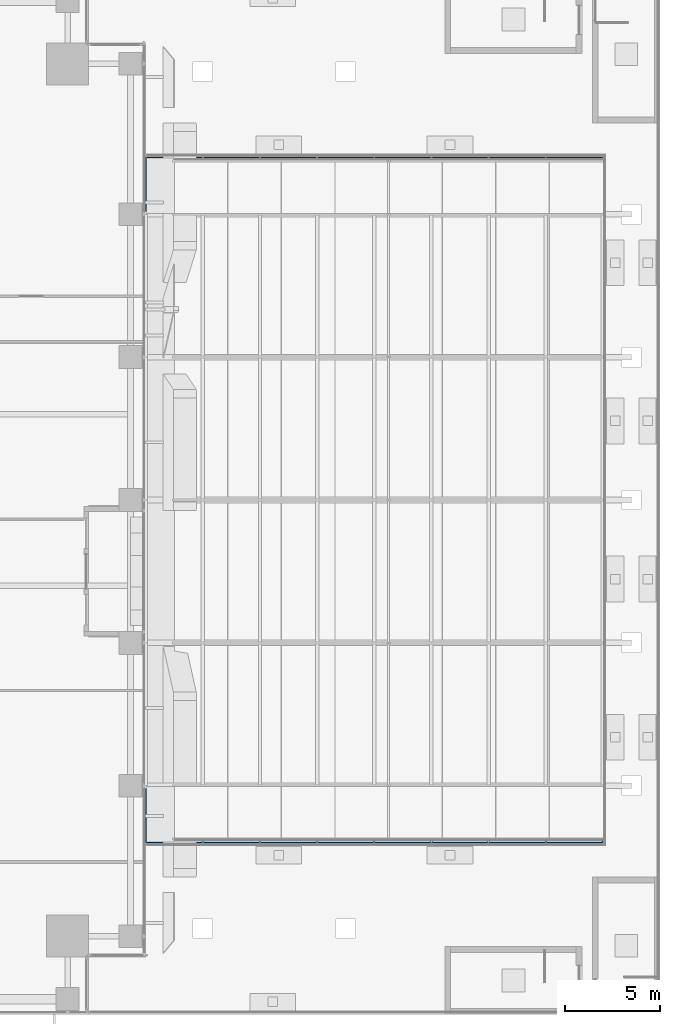
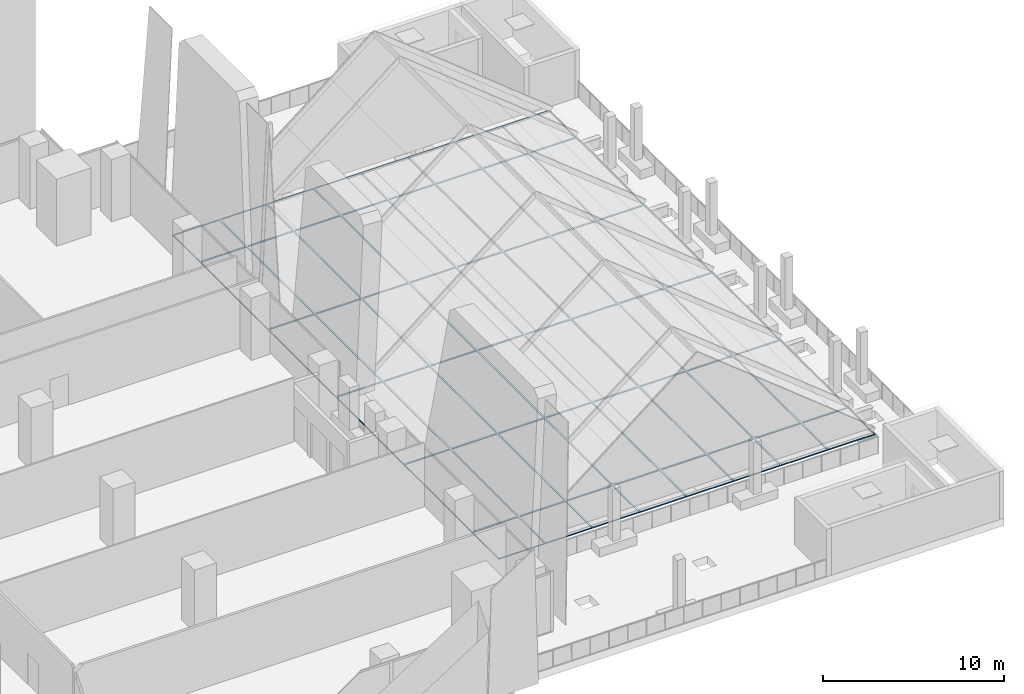
# One storey, part 33 of 46: 1 slab, 48 openings.
"""IFC4 building model written with IfcOpenShell, lengths in metres."""

import ifcopenshell
import ifcopenshell.guid

model = None  # the IFC model being written
_history = None  # IfcOwnerHistory: only IFC2X3 demands one
_inside = {}  # id of a spatial element -> (the spatial element, [elements in it])
_under = {}  # id of a project, library or spatial element -> (it, [spatial elements below it])
_declared = {}  # id of a project -> (the project, [libraries it declares])
_typed = {}  # id of a type object -> (the type object, [elements of that type])
_made_of = {}  # id of a material, layer set ... -> (it, [elements and type objects made of it])


def new_model(schema):
    """Start an empty IFC model of exactly this schema.

    Asked for "IFC4X3", IfcOpenShell would pick the latest addendum, in which some entities
    have other attributes; the version numbers below select the first issue.
    IFC2X3 requires an IfcOwnerHistory on every rooted entity: one is made here for all.
    """
    global model, _history
    if schema == "IFC4X3":
        model = ifcopenshell.file(schema_version=(4, 3, 0, 0))
    else:
        model = ifcopenshell.file(schema=schema)
    _inside.clear()
    _under.clear()
    _declared.clear()
    _typed.clear()
    _made_of.clear()
    _history = None
    if model.schema == "IFC2X3":
        org = make("IfcOrganization", Name="unknown")
        user = make(
            "IfcPersonAndOrganization",
            ThePerson=make("IfcPerson", FamilyName="unknown"),
            TheOrganization=org,
        )
        app = make(
            "IfcApplication",
            ApplicationDeveloper=org,
            Version="unknown",
            ApplicationFullName="unknown",
            ApplicationIdentifier="unknown",
        )
        _history = make(
            "IfcOwnerHistory",
            OwningUser=user,
            OwningApplication=app,
            ChangeAction="ADDED",
            CreationDate=0,
        )
    return model


def make(cls, **values):
    """One entity of the class cls with the attributes given. An attribute that is None is left unset."""
    return model.create_entity(
        cls, **{name: value for name, value in values.items() if value is not None}
    )


def rooted(cls, **values):
    """An entity with a GlobalId (a new one), such as an element, a storey or a relation."""
    return make(cls, GlobalId=ifcopenshell.guid.new(), OwnerHistory=_history, **values)


def si_unit(unit_type, name, prefix=None):
    """IfcSIUnit, for example si_unit("LENGTHUNIT", "METRE", prefix="MILLI")."""
    return make("IfcSIUnit", UnitType=unit_type, Prefix=prefix, Name=name)


def assignment(units):
    """IfcUnitAssignment: the units of a project."""
    return None if units is None else make("IfcUnitAssignment", Units=units)


def point(xyz):
    """IfcCartesianPoint."""
    return None if xyz is None else make("IfcCartesianPoint", Coordinates=xyz)


def direction(xyz):
    """IfcDirection."""
    return None if xyz is None else make("IfcDirection", DirectionRatios=xyz)


def frame(location, z_axis=None, x_axis=None):
    """IfcAxis2Placement3D, a coordinate frame: its origin and axes. An axis left out is left unset."""
    return make(
        "IfcAxis2Placement3D",
        Location=point(location),
        Axis=direction(z_axis),
        RefDirection=direction(x_axis),
    )


def frame_2d(location, x_axis=None):
    """IfcAxis2Placement2D, a coordinate frame in the plane: its origin and x axis."""
    return make(
        "IfcAxis2Placement2D", Location=point(location), RefDirection=direction(x_axis)
    )


def origin():
    """The frame at (0, 0, 0) with its axes left unset."""
    return frame((0.0, 0.0, 0.0))


def origin_2d():
    """The frame at (0, 0) in the plane with its x axis left unset."""
    return frame_2d((0.0, 0.0))


def place(relative_to, where):
    """IfcLocalPlacement: puts the frame where relative to a parent placement (None: the world)."""
    return make(
        "IfcLocalPlacement", PlacementRelTo=relative_to, RelativePlacement=where
    )


def context(
    kind, dimensions, precision=None, world=None, true_north=None, identifier=None
):
    """IfcGeometricRepresentationContext, for example the 3D "Model" context."""
    return make(
        "IfcGeometricRepresentationContext",
        ContextIdentifier=identifier,
        ContextType=kind,
        CoordinateSpaceDimension=dimensions,
        Precision=precision,
        WorldCoordinateSystem=world,
        TrueNorth=true_north,
    )


def subcontext(parent, identifier, kind, view, scale=None):
    """IfcGeometricRepresentationSubContext, for example "Body" below "Model"."""
    return make(
        "IfcGeometricRepresentationSubContext",
        ContextIdentifier=identifier,
        ContextType=kind,
        ParentContext=parent,
        TargetScale=scale,
        TargetView=view,
    )


def project(units=None, contexts=None):
    """IfcProject with its units and contexts."""
    return rooted(
        "IfcProject",
        Name="project",
        RepresentationContexts=contexts,
        UnitsInContext=assignment(units),
    )


def spatial(cls, under=None, at=None, **own):
    """A site, building, storey or space (cls), placed at a placement, below another one or the project."""
    s = rooted(cls, ObjectPlacement=at, **own)
    if under is not None:
        _under.setdefault(under.id(), (under, []))[1].append(s)
    return s


def polyline(points):
    """IfcPolyline through the points."""
    return make("IfcPolyline", Points=[point(p) for p in points])


def profile(cls, at=None, kind="AREA", **sizes):
    """A parametric profile (cls). Its sizes go by their IFC names, for example OverallWidth=200.0."""
    return make(cls, ProfileType=kind, Position=at, **sizes)


def rectangle(**sizes):
    """IfcRectangleProfileDef."""
    return profile("IfcRectangleProfileDef", **sizes)


def outline(outer, holes=None, kind="AREA"):
    """IfcArbitraryClosedProfileDef: a profile drawn as a closed curve; with holes, ...WithVoids."""
    if holes is None:
        return make("IfcArbitraryClosedProfileDef", ProfileType=kind, OuterCurve=outer)
    return make(
        "IfcArbitraryProfileDefWithVoids",
        ProfileType=kind,
        OuterCurve=outer,
        InnerCurves=holes,
    )


def extrude(swept, where, along, depth):
    """IfcExtrudedAreaSolid: the profile swept, set in the frame where, extruded along a direction by depth."""
    return make(
        "IfcExtrudedAreaSolid",
        SweptArea=swept,
        Position=where,
        ExtrudedDirection=direction(along),
        Depth=depth,
    )


def shape(context_of_items, identifier, shape_type, items):
    """IfcShapeRepresentation: the items that make up one representation, for example the "Body"."""
    return make(
        "IfcShapeRepresentation",
        ContextOfItems=context_of_items,
        RepresentationIdentifier=identifier,
        RepresentationType=shape_type,
        Items=items,
    )


def source(mapping_origin, context_of_items, identifier, shape_type, items):
    """IfcRepresentationMap: a shape defined once, which mapped items show again and again."""
    return make(
        "IfcRepresentationMap",
        MappingOrigin=mapping_origin,
        MappedRepresentation=shape(context_of_items, identifier, shape_type, items),
    )


def transform(
    local_origin,
    x_axis=None,
    y_axis=None,
    z_axis=None,
    scale=None,
    scale2=None,
    scale3=None,
    uniform=True,
):
    """IfcCartesianTransformationOperator3D, or its non-uniform kind. x_axis, y_axis, z_axis: its Axis1, 2, 3."""
    if uniform:
        return make(
            "IfcCartesianTransformationOperator3D",
            Axis1=direction(x_axis),
            Axis2=direction(y_axis),
            LocalOrigin=point(local_origin),
            Scale=scale,
            Axis3=direction(z_axis),
        )
    return make(
        "IfcCartesianTransformationOperator3DnonUniform",
        Axis1=direction(x_axis),
        Axis2=direction(y_axis),
        LocalOrigin=point(local_origin),
        Scale=scale,
        Axis3=direction(z_axis),
        Scale2=scale2,
        Scale3=scale3,
    )


def mapped(mapping_source, mapping_target):
    """IfcMappedItem: shows the shape of a source again, moved by a transform."""
    return make(
        "IfcMappedItem", MappingSource=mapping_source, MappingTarget=mapping_target
    )


def material(Name=None, Category=None):
    """IfcMaterial."""
    return make("IfcMaterial", Name=Name, Category=Category)


def layer(
    of_material, thickness, ventilated=None, Name=None, Category=None, Priority=None
):
    """IfcMaterialLayer: one layer of a wall or slab, of a material (None: an air gap)."""
    return make(
        "IfcMaterialLayer",
        Material=of_material,
        LayerThickness=thickness,
        IsVentilated=ventilated,
        Name=Name,
        Category=Category,
        Priority=Priority,
    )


def layer_set(layers, Name=None):
    """IfcMaterialLayerSet."""
    return make("IfcMaterialLayerSet", MaterialLayers=layers, LayerSetName=Name)


def made_of(thing, what):
    """Note that an element or type object is made of a material, layer set ...; save() writes the relation."""
    if what is not None:
        _made_of.setdefault(what.id(), (what, []))[1].append(thing)
    return thing


def type_object(cls, material=None, **own):
    """A type object (cls), such as IfcWallType, which elements share."""
    return made_of(rooted(cls, **own), material)


def element(
    cls,
    number,
    at=None,
    inside=None,
    cuts=None,
    type_object=None,
    material=None,
    context=None,
    identifier="Body",
    shape_type=None,
    held_by="IfcProductDefinitionShape",
    body=None,
    shapes=None,
    **own,
):
    """One element of the class cls, such as IfcWall. Its Tag is "e" and its number.

    at: its placement. inside: the storey or other place that contains it. cuts: it is an
    opening in that element (IfcRelVoidsElement). A single representation is given by context,
    identifier, shape_type and body (its items); several are given by shapes. held_by: the class
    of the entity that holds the representations. save() writes the other relations.
    """
    e = rooted(cls, Tag="e%d" % number, ObjectPlacement=at, **own)
    if body is not None:
        shapes = [shape(context, identifier, shape_type, body)]
    if shapes is not None:
        e.Representation = make(held_by, Representations=shapes)
    if inside is not None:
        _inside.setdefault(inside.id(), (inside, []))[1].append(e)
    if cuts is not None:
        rooted(
            "IfcRelVoidsElement", RelatingBuildingElement=cuts, RelatedOpeningElement=e
        )
    if type_object is not None:
        _typed.setdefault(type_object.id(), (type_object, []))[1].append(e)
    return made_of(e, material)


def aggregate(whole, parts):
    """IfcRelAggregates: a whole, such as a stair, and the parts it consists of."""
    return rooted("IfcRelAggregates", RelatingObject=whole, RelatedObjects=parts)


def save(model, path):
    """Write the relations noted so far, then the file.

    IfcRelAggregates (storeys below a building ...), IfcRelContainedInSpatialStructure (elements
    in a storey), IfcRelDefinesByType, IfcRelAssociatesMaterial and IfcRelDeclares: one each for
    every whole, place, type object, material and project.
    """
    for whole, parts in _under.values():
        aggregate(whole, parts)
    for where, things in _inside.values():
        rooted(
            "IfcRelContainedInSpatialStructure",
            RelatedElements=things,
            RelatingStructure=where,
        )
    for kind, things in _typed.values():
        rooted("IfcRelDefinesByType", RelatedObjects=things, RelatingType=kind)
    for what, things in _made_of.values():
        rooted("IfcRelAssociatesMaterial", RelatedObjects=things, RelatingMaterial=what)
    for by, libraries in _declared.values():
        rooted("IfcRelDeclares", RelatingContext=by, RelatedDefinitions=libraries)
    model.write(path)


model = new_model("IFC4")

# Units and contexts
model_context = context("Model", 3, precision=1e-05, world=origin(), true_north=direction((0.0, 1.0)))
body_context = subcontext(model_context, "Body", "Model", "MODEL_VIEW")
ifc_project = project(units=[si_unit("LENGTHUNIT", "METRE"), si_unit("AREAUNIT", "SQUARE_METRE"), si_unit("VOLUMEUNIT", "CUBIC_METRE"), si_unit("PLANEANGLEUNIT", "RADIAN"), si_unit("MASSUNIT", "GRAM", prefix="KILO")], contexts=[model_context])

# Site, building, storey
site_placement = place(None, origin())
site = spatial("IfcSite", under=ifc_project, at=site_placement, CompositionType="ELEMENT")
building_placement = place(site_placement, origin())
building = spatial("IfcBuilding", under=site, at=building_placement, Name="Khomas Fold Tower", CompositionType="ELEMENT")
storey_placement = place(building_placement, frame((0.0, 0.0, 33.0)))
storey = spatial("IfcBuildingStorey", under=building, at=storey_placement, Name="L06", CompositionType="ELEMENT", Elevation=33.0)

# Slab, openings
ifc_material = material(Name="Concrete C40/50", Category="concrete")
ifc_layer = layer(ifc_material, 0.06005859375)
ifc_layer_set = layer_set([ifc_layer], Name="Concrete C40/50")
slab_type = type_object("IfcSlabType", Name="Rooflight deck slab RF-D", PredefinedType="ROOF", material=ifc_layer_set)
shared_shape = source(origin(), body_context, "Body", "SweptSolid", [
    extrude(outline(polyline([(54.0, 9.0), (78.0, 9.0), (78.0, 45.0), (54.0, 45.0), (54.0, 9.0)]), holes=[polyline([(54.050048828125, 9.050048828125), (56.949951171875, 9.050048828125), (56.949951171875, 11.949951171875), (54.050048828125, 11.949951171875), (54.050048828125, 9.050048828125)]), polyline([(54.050048828125, 12.050048828125), (56.949951171875, 12.050048828125), (56.949951171875, 19.449951171875), (54.050048828125, 19.449951171875), (54.050048828125, 12.050048828125)]), polyline([(54.050048828125, 19.550048828125), (56.949951171875, 19.550048828125), (56.949951171875, 26.949951171875), (54.050048828125, 26.949951171875), (54.050048828125, 19.550048828125)]), polyline([(54.050048828125, 27.050048828125), (56.949951171875, 27.050048828125), (56.949951171875, 34.449951171875), (54.050048828125, 34.449951171875), (54.050048828125, 27.050048828125)]), polyline([(54.050048828125, 34.550048828125), (56.949951171875, 34.550048828125), (56.949951171875, 41.949951171875), (54.050048828125, 41.949951171875), (54.050048828125, 34.550048828125)]), polyline([(54.050048828125, 42.050048828125), (56.949951171875, 42.050048828125), (56.949951171875, 44.949951171875), (54.050048828125, 44.949951171875), (54.050048828125, 42.050048828125)]), polyline([(57.050048828125, 9.050048828125), (59.949951171875, 9.050048828125), (59.949951171875, 11.949951171875), (57.050048828125, 11.949951171875), (57.050048828125, 9.050048828125)]), polyline([(57.050048828125, 12.050048828125), (59.949951171875, 12.050048828125), (59.949951171875, 19.449951171875), (57.050048828125, 19.449951171875), (57.050048828125, 12.050048828125)]), polyline([(57.050048828125, 19.550048828125), (59.949951171875, 19.550048828125), (59.949951171875, 26.949951171875), (57.050048828125, 26.949951171875), (57.050048828125, 19.550048828125)]), polyline([(57.050048828125, 27.050048828125), (59.949951171875, 27.050048828125), (59.949951171875, 34.449951171875), (57.050048828125, 34.449951171875), (57.050048828125, 27.050048828125)]), polyline([(57.050048828125, 34.550048828125), (59.949951171875, 34.550048828125), (59.949951171875, 41.949951171875), (57.050048828125, 41.949951171875), (57.050048828125, 34.550048828125)]), polyline([(57.050048828125, 42.050048828125), (59.949951171875, 42.050048828125), (59.949951171875, 44.949951171875), (57.050048828125, 44.949951171875), (57.050048828125, 42.050048828125)]), polyline([(60.050048828125, 9.050048828125), (62.949951171875, 9.050048828125), (62.949951171875, 11.949951171875), (60.050048828125, 11.949951171875), (60.050048828125, 9.050048828125)]), polyline([(60.050048828125, 12.050048828125), (62.949951171875, 12.050048828125), (62.949951171875, 19.449951171875), (60.050048828125, 19.449951171875), (60.050048828125, 12.050048828125)]), polyline([(60.050048828125, 19.550048828125), (62.949951171875, 19.550048828125), (62.949951171875, 26.949951171875), (60.050048828125, 26.949951171875), (60.050048828125, 19.550048828125)]), polyline([(60.050048828125, 27.050048828125), (62.949951171875, 27.050048828125), (62.949951171875, 34.449951171875), (60.050048828125, 34.449951171875), (60.050048828125, 27.050048828125)]), polyline([(60.050048828125, 34.550048828125), (62.949951171875, 34.550048828125), (62.949951171875, 41.949951171875), (60.050048828125, 41.949951171875), (60.050048828125, 34.550048828125)]), polyline([(60.050048828125, 42.050048828125), (62.949951171875, 42.050048828125), (62.949951171875, 44.949951171875), (60.050048828125, 44.949951171875), (60.050048828125, 42.050048828125)]), polyline([(63.050048828125, 9.050048828125), (65.949951171875, 9.050048828125), (65.949951171875, 11.949951171875), (63.050048828125, 11.949951171875), (63.050048828125, 9.050048828125)]), polyline([(63.050048828125, 12.050048828125), (65.949951171875, 12.050048828125), (65.949951171875, 19.449951171875), (63.050048828125, 19.449951171875), (63.050048828125, 12.050048828125)]), polyline([(63.050048828125, 19.550048828125), (65.949951171875, 19.550048828125), (65.949951171875, 26.949951171875), (63.050048828125, 26.949951171875), (63.050048828125, 19.550048828125)]), polyline([(63.050048828125, 27.050048828125), (65.949951171875, 27.050048828125), (65.949951171875, 34.449951171875), (63.050048828125, 34.449951171875), (63.050048828125, 27.050048828125)]), polyline([(63.050048828125, 34.550048828125), (65.949951171875, 34.550048828125), (65.949951171875, 41.949951171875), (63.050048828125, 41.949951171875), (63.050048828125, 34.550048828125)]), polyline([(63.050048828125, 42.050048828125), (65.949951171875, 42.050048828125), (65.949951171875, 44.949951171875), (63.050048828125, 44.949951171875), (63.050048828125, 42.050048828125)]), polyline([(66.050048828125, 9.050048828125), (68.949951171875, 9.050048828125), (68.949951171875, 11.949951171875), (66.050048828125, 11.949951171875), (66.050048828125, 9.050048828125)]), polyline([(66.050048828125, 12.050048828125), (68.949951171875, 12.050048828125), (68.949951171875, 19.449951171875), (66.050048828125, 19.449951171875), (66.050048828125, 12.050048828125)]), polyline([(66.050048828125, 19.550048828125), (68.949951171875, 19.550048828125), (68.949951171875, 26.949951171875), (66.050048828125, 26.949951171875), (66.050048828125, 19.550048828125)]), polyline([(66.050048828125, 27.050048828125), (68.949951171875, 27.050048828125), (68.949951171875, 34.449951171875), (66.050048828125, 34.449951171875), (66.050048828125, 27.050048828125)]), polyline([(66.050048828125, 34.550048828125), (68.949951171875, 34.550048828125), (68.949951171875, 41.949951171875), (66.050048828125, 41.949951171875), (66.050048828125, 34.550048828125)]), polyline([(66.050048828125, 42.050048828125), (68.949951171875, 42.050048828125), (68.949951171875, 44.949951171875), (66.050048828125, 44.949951171875), (66.050048828125, 42.050048828125)]), polyline([(69.050048828125, 9.050048828125), (71.949951171875, 9.050048828125), (71.949951171875, 11.949951171875), (69.050048828125, 11.949951171875), (69.050048828125, 9.050048828125)]), polyline([(69.050048828125, 12.050048828125), (71.949951171875, 12.050048828125), (71.949951171875, 19.449951171875), (69.050048828125, 19.449951171875), (69.050048828125, 12.050048828125)]), polyline([(69.050048828125, 19.550048828125), (71.949951171875, 19.550048828125), (71.949951171875, 26.949951171875), (69.050048828125, 26.949951171875), (69.050048828125, 19.550048828125)]), polyline([(69.050048828125, 27.050048828125), (71.949951171875, 27.050048828125), (71.949951171875, 34.449951171875), (69.050048828125, 34.449951171875), (69.050048828125, 27.050048828125)]), polyline([(69.050048828125, 34.550048828125), (71.949951171875, 34.550048828125), (71.949951171875, 41.949951171875), (69.050048828125, 41.949951171875), (69.050048828125, 34.550048828125)]), polyline([(69.050048828125, 42.050048828125), (71.949951171875, 42.050048828125), (71.949951171875, 44.949951171875), (69.050048828125, 44.949951171875), (69.050048828125, 42.050048828125)]), polyline([(72.050048828125, 9.050048828125), (74.949951171875, 9.050048828125), (74.949951171875, 11.949951171875), (72.050048828125, 11.949951171875), (72.050048828125, 9.050048828125)]), polyline([(72.050048828125, 12.050048828125), (74.949951171875, 12.050048828125), (74.949951171875, 19.449951171875), (72.050048828125, 19.449951171875), (72.050048828125, 12.050048828125)]), polyline([(72.050048828125, 19.550048828125), (74.949951171875, 19.550048828125), (74.949951171875, 26.949951171875), (72.050048828125, 26.949951171875), (72.050048828125, 19.550048828125)]), polyline([(72.050048828125, 27.050048828125), (74.949951171875, 27.050048828125), (74.949951171875, 34.449951171875), (72.050048828125, 34.449951171875), (72.050048828125, 27.050048828125)]), polyline([(72.050048828125, 34.550048828125), (74.949951171875, 34.550048828125), (74.949951171875, 41.949951171875), (72.050048828125, 41.949951171875), (72.050048828125, 34.550048828125)]), polyline([(72.050048828125, 42.050048828125), (74.949951171875, 42.050048828125), (74.949951171875, 44.949951171875), (72.050048828125, 44.949951171875), (72.050048828125, 42.050048828125)]), polyline([(75.050048828125, 9.050048828125), (77.949951171875, 9.050048828125), (77.949951171875, 11.949951171875), (75.050048828125, 11.949951171875), (75.050048828125, 9.050048828125)]), polyline([(75.050048828125, 12.050048828125), (77.949951171875, 12.050048828125), (77.949951171875, 19.449951171875), (75.050048828125, 19.449951171875), (75.050048828125, 12.050048828125)]), polyline([(75.050048828125, 19.550048828125), (77.949951171875, 19.550048828125), (77.949951171875, 26.949951171875), (75.050048828125, 26.949951171875), (75.050048828125, 19.550048828125)]), polyline([(75.050048828125, 27.050048828125), (77.949951171875, 27.050048828125), (77.949951171875, 34.449951171875), (75.050048828125, 34.449951171875), (75.050048828125, 27.050048828125)]), polyline([(75.050048828125, 34.550048828125), (77.949951171875, 34.550048828125), (77.949951171875, 41.949951171875), (75.050048828125, 41.949951171875), (75.050048828125, 34.550048828125)]), polyline([(75.050048828125, 42.050048828125), (77.949951171875, 42.050048828125), (77.949951171875, 44.949951171875), (75.050048828125, 44.949951171875), (75.050048828125, 42.050048828125)])]), origin(), (0.0, 0.0, 1.0), 0.06005859375),
])
slab_placement = place(storey_placement, frame((0.0, 0.0, 1.199951171875)))
slab = element("IfcSlab", 1, at=slab_placement, inside=storey, type_object=slab_type, Name="Rooflight deck", PredefinedType="ROOF", context=body_context, shape_type="MappedRepresentation", body=[
    mapped(shared_shape, transform((0.0, 0.0, 0.0))),
])
opening_1_placement = place(slab_placement, frame((55.5, 10.5, 0.0)))
element("IfcOpeningElement", 2, at=opening_1_placement, cuts=slab, Name="Opening SK1", PredefinedType="OPENING", context=body_context, shape_type="SweptSolid", body=[
    extrude(rectangle(XDim=2.89990234375, YDim=2.89990234375, at=origin_2d()), origin(), (0.0, 0.0, 1.0), 0.06005859375),
])
opening_2_placement = place(slab_placement, frame((55.5, 15.75, 0.0)))
element("IfcOpeningElement", 3, at=opening_2_placement, cuts=slab, Name="Opening SK2", PredefinedType="OPENING", context=body_context, shape_type="SweptSolid", body=[
    extrude(rectangle(XDim=2.89990234375, YDim=7.39990234375, at=origin_2d()), origin(), (0.0, 0.0, 1.0), 0.06005859375),
])
opening_3_placement = place(slab_placement, frame((55.5, 23.25, 0.0)))
element("IfcOpeningElement", 4, at=opening_3_placement, cuts=slab, Name="Opening SK2", PredefinedType="OPENING", context=body_context, shape_type="SweptSolid", body=[
    extrude(rectangle(XDim=2.89990234375, YDim=7.39990234375, at=origin_2d()), origin(), (0.0, 0.0, 1.0), 0.06005859375),
])
opening_4_placement = place(slab_placement, frame((55.5, 30.75, 0.0)))
element("IfcOpeningElement", 5, at=opening_4_placement, cuts=slab, Name="Opening SK2", PredefinedType="OPENING", context=body_context, shape_type="SweptSolid", body=[
    extrude(rectangle(XDim=2.89990234375, YDim=7.39990234375, at=origin_2d()), origin(), (0.0, 0.0, 1.0), 0.06005859375),
])
opening_5_placement = place(slab_placement, frame((55.5, 38.25, 0.0)))
element("IfcOpeningElement", 6, at=opening_5_placement, cuts=slab, Name="Opening SK2", PredefinedType="OPENING", context=body_context, shape_type="SweptSolid", body=[
    extrude(rectangle(XDim=2.89990234375, YDim=7.39990234375, at=origin_2d()), origin(), (0.0, 0.0, 1.0), 0.06005859375),
])
opening_6_placement = place(slab_placement, frame((55.5, 43.5, 0.0)))
element("IfcOpeningElement", 7, at=opening_6_placement, cuts=slab, Name="Opening SK1", PredefinedType="OPENING", context=body_context, shape_type="SweptSolid", body=[
    extrude(rectangle(XDim=2.89990234375, YDim=2.89990234375, at=origin_2d()), origin(), (0.0, 0.0, 1.0), 0.06005859375),
])
opening_7_placement = place(slab_placement, frame((58.5, 10.5, 0.0)))
element("IfcOpeningElement", 8, at=opening_7_placement, cuts=slab, Name="Opening SK1", PredefinedType="OPENING", context=body_context, shape_type="SweptSolid", body=[
    extrude(rectangle(XDim=2.89990234375, YDim=2.89990234375, at=origin_2d()), origin(), (0.0, 0.0, 1.0), 0.06005859375),
])
opening_8_placement = place(slab_placement, frame((58.5, 15.75, 0.0)))
element("IfcOpeningElement", 9, at=opening_8_placement, cuts=slab, Name="Opening SK2", PredefinedType="OPENING", context=body_context, shape_type="SweptSolid", body=[
    extrude(rectangle(XDim=2.89990234375, YDim=7.39990234375, at=origin_2d()), origin(), (0.0, 0.0, 1.0), 0.06005859375),
])
opening_9_placement = place(slab_placement, frame((58.5, 23.25, 0.0)))
element("IfcOpeningElement", 10, at=opening_9_placement, cuts=slab, Name="Opening SK2", PredefinedType="OPENING", context=body_context, shape_type="SweptSolid", body=[
    extrude(rectangle(XDim=2.89990234375, YDim=7.39990234375, at=origin_2d()), origin(), (0.0, 0.0, 1.0), 0.06005859375),
])
opening_10_placement = place(slab_placement, frame((58.5, 30.75, 0.0)))
element("IfcOpeningElement", 11, at=opening_10_placement, cuts=slab, Name="Opening SK2", PredefinedType="OPENING", context=body_context, shape_type="SweptSolid", body=[
    extrude(rectangle(XDim=2.89990234375, YDim=7.39990234375, at=origin_2d()), origin(), (0.0, 0.0, 1.0), 0.06005859375),
])
opening_11_placement = place(slab_placement, frame((58.5, 38.25, 0.0)))
element("IfcOpeningElement", 12, at=opening_11_placement, cuts=slab, Name="Opening SK2", PredefinedType="OPENING", context=body_context, shape_type="SweptSolid", body=[
    extrude(rectangle(XDim=2.89990234375, YDim=7.39990234375, at=origin_2d()), origin(), (0.0, 0.0, 1.0), 0.06005859375),
])
opening_12_placement = place(slab_placement, frame((58.5, 43.5, 0.0)))
element("IfcOpeningElement", 13, at=opening_12_placement, cuts=slab, Name="Opening SK1", PredefinedType="OPENING", context=body_context, shape_type="SweptSolid", body=[
    extrude(rectangle(XDim=2.89990234375, YDim=2.89990234375, at=origin_2d()), origin(), (0.0, 0.0, 1.0), 0.06005859375),
])
opening_13_placement = place(slab_placement, frame((61.5, 10.5, 0.0)))
element("IfcOpeningElement", 14, at=opening_13_placement, cuts=slab, Name="Opening SK1", PredefinedType="OPENING", context=body_context, shape_type="SweptSolid", body=[
    extrude(rectangle(XDim=2.89990234375, YDim=2.89990234375, at=origin_2d()), origin(), (0.0, 0.0, 1.0), 0.06005859375),
])
opening_14_placement = place(slab_placement, frame((61.5, 15.75, 0.0)))
element("IfcOpeningElement", 15, at=opening_14_placement, cuts=slab, Name="Opening SK2", PredefinedType="OPENING", context=body_context, shape_type="SweptSolid", body=[
    extrude(rectangle(XDim=2.89990234375, YDim=7.39990234375, at=origin_2d()), origin(), (0.0, 0.0, 1.0), 0.06005859375),
])
opening_15_placement = place(slab_placement, frame((61.5, 23.25, 0.0)))
element("IfcOpeningElement", 16, at=opening_15_placement, cuts=slab, Name="Opening SK2", PredefinedType="OPENING", context=body_context, shape_type="SweptSolid", body=[
    extrude(rectangle(XDim=2.89990234375, YDim=7.39990234375, at=origin_2d()), origin(), (0.0, 0.0, 1.0), 0.06005859375),
])
opening_16_placement = place(slab_placement, frame((61.5, 30.75, 0.0)))
element("IfcOpeningElement", 17, at=opening_16_placement, cuts=slab, Name="Opening SK2", PredefinedType="OPENING", context=body_context, shape_type="SweptSolid", body=[
    extrude(rectangle(XDim=2.89990234375, YDim=7.39990234375, at=origin_2d()), origin(), (0.0, 0.0, 1.0), 0.06005859375),
])
opening_17_placement = place(slab_placement, frame((61.5, 38.25, 0.0)))
element("IfcOpeningElement", 18, at=opening_17_placement, cuts=slab, Name="Opening SK2", PredefinedType="OPENING", context=body_context, shape_type="SweptSolid", body=[
    extrude(rectangle(XDim=2.89990234375, YDim=7.39990234375, at=origin_2d()), origin(), (0.0, 0.0, 1.0), 0.06005859375),
])
opening_18_placement = place(slab_placement, frame((61.5, 43.5, 0.0)))
element("IfcOpeningElement", 19, at=opening_18_placement, cuts=slab, Name="Opening SK1", PredefinedType="OPENING", context=body_context, shape_type="SweptSolid", body=[
    extrude(rectangle(XDim=2.89990234375, YDim=2.89990234375, at=origin_2d()), origin(), (0.0, 0.0, 1.0), 0.06005859375),
])
opening_19_placement = place(slab_placement, frame((64.5, 10.5, 0.0)))
element("IfcOpeningElement", 20, at=opening_19_placement, cuts=slab, Name="Opening SK1", PredefinedType="OPENING", context=body_context, shape_type="SweptSolid", body=[
    extrude(rectangle(XDim=2.89990234375, YDim=2.89990234375, at=origin_2d()), origin(), (0.0, 0.0, 1.0), 0.06005859375),
])
opening_20_placement = place(slab_placement, frame((64.5, 15.75, 0.0)))
element("IfcOpeningElement", 21, at=opening_20_placement, cuts=slab, Name="Opening SK2", PredefinedType="OPENING", context=body_context, shape_type="SweptSolid", body=[
    extrude(rectangle(XDim=2.89990234375, YDim=7.39990234375, at=origin_2d()), origin(), (0.0, 0.0, 1.0), 0.06005859375),
])
opening_21_placement = place(slab_placement, frame((64.5, 23.25, 0.0)))
element("IfcOpeningElement", 22, at=opening_21_placement, cuts=slab, Name="Opening SK2", PredefinedType="OPENING", context=body_context, shape_type="SweptSolid", body=[
    extrude(rectangle(XDim=2.89990234375, YDim=7.39990234375, at=origin_2d()), origin(), (0.0, 0.0, 1.0), 0.06005859375),
])
opening_22_placement = place(slab_placement, frame((64.5, 30.75, 0.0)))
element("IfcOpeningElement", 23, at=opening_22_placement, cuts=slab, Name="Opening SK2", PredefinedType="OPENING", context=body_context, shape_type="SweptSolid", body=[
    extrude(rectangle(XDim=2.89990234375, YDim=7.39990234375, at=origin_2d()), origin(), (0.0, 0.0, 1.0), 0.06005859375),
])
opening_23_placement = place(slab_placement, frame((64.5, 38.25, 0.0)))
element("IfcOpeningElement", 24, at=opening_23_placement, cuts=slab, Name="Opening SK2", PredefinedType="OPENING", context=body_context, shape_type="SweptSolid", body=[
    extrude(rectangle(XDim=2.89990234375, YDim=7.39990234375, at=origin_2d()), origin(), (0.0, 0.0, 1.0), 0.06005859375),
])
opening_24_placement = place(slab_placement, frame((64.5, 43.5, 0.0)))
element("IfcOpeningElement", 25, at=opening_24_placement, cuts=slab, Name="Opening SK1", PredefinedType="OPENING", context=body_context, shape_type="SweptSolid", body=[
    extrude(rectangle(XDim=2.89990234375, YDim=2.89990234375, at=origin_2d()), origin(), (0.0, 0.0, 1.0), 0.06005859375),
])
opening_25_placement = place(slab_placement, frame((67.5, 10.5, 0.0)))
element("IfcOpeningElement", 26, at=opening_25_placement, cuts=slab, Name="Opening SK1", PredefinedType="OPENING", context=body_context, shape_type="SweptSolid", body=[
    extrude(rectangle(XDim=2.89990234375, YDim=2.89990234375, at=origin_2d()), origin(), (0.0, 0.0, 1.0), 0.06005859375),
])
opening_26_placement = place(slab_placement, frame((67.5, 15.75, 0.0)))
element("IfcOpeningElement", 27, at=opening_26_placement, cuts=slab, Name="Opening SK2", PredefinedType="OPENING", context=body_context, shape_type="SweptSolid", body=[
    extrude(rectangle(XDim=2.89990234375, YDim=7.39990234375, at=origin_2d()), origin(), (0.0, 0.0, 1.0), 0.06005859375),
])
opening_27_placement = place(slab_placement, frame((67.5, 23.25, 0.0)))
element("IfcOpeningElement", 28, at=opening_27_placement, cuts=slab, Name="Opening SK2", PredefinedType="OPENING", context=body_context, shape_type="SweptSolid", body=[
    extrude(rectangle(XDim=2.89990234375, YDim=7.39990234375, at=origin_2d()), origin(), (0.0, 0.0, 1.0), 0.06005859375),
])
opening_28_placement = place(slab_placement, frame((67.5, 30.75, 0.0)))
element("IfcOpeningElement", 29, at=opening_28_placement, cuts=slab, Name="Opening SK2", PredefinedType="OPENING", context=body_context, shape_type="SweptSolid", body=[
    extrude(rectangle(XDim=2.89990234375, YDim=7.39990234375, at=origin_2d()), origin(), (0.0, 0.0, 1.0), 0.06005859375),
])
opening_29_placement = place(slab_placement, frame((67.5, 38.25, 0.0)))
element("IfcOpeningElement", 30, at=opening_29_placement, cuts=slab, Name="Opening SK2", PredefinedType="OPENING", context=body_context, shape_type="SweptSolid", body=[
    extrude(rectangle(XDim=2.89990234375, YDim=7.39990234375, at=origin_2d()), origin(), (0.0, 0.0, 1.0), 0.06005859375),
])
opening_30_placement = place(slab_placement, frame((67.5, 43.5, 0.0)))
element("IfcOpeningElement", 31, at=opening_30_placement, cuts=slab, Name="Opening SK1", PredefinedType="OPENING", context=body_context, shape_type="SweptSolid", body=[
    extrude(rectangle(XDim=2.89990234375, YDim=2.89990234375, at=origin_2d()), origin(), (0.0, 0.0, 1.0), 0.06005859375),
])
opening_31_placement = place(slab_placement, frame((70.5, 10.5, 0.0)))
element("IfcOpeningElement", 32, at=opening_31_placement, cuts=slab, Name="Opening SK1", PredefinedType="OPENING", context=body_context, shape_type="SweptSolid", body=[
    extrude(rectangle(XDim=2.89990234375, YDim=2.89990234375, at=origin_2d()), origin(), (0.0, 0.0, 1.0), 0.06005859375),
])
opening_32_placement = place(slab_placement, frame((70.5, 15.75, 0.0)))
element("IfcOpeningElement", 33, at=opening_32_placement, cuts=slab, Name="Opening SK2", PredefinedType="OPENING", context=body_context, shape_type="SweptSolid", body=[
    extrude(rectangle(XDim=2.89990234375, YDim=7.39990234375, at=origin_2d()), origin(), (0.0, 0.0, 1.0), 0.06005859375),
])
opening_33_placement = place(slab_placement, frame((70.5, 23.25, 0.0)))
element("IfcOpeningElement", 34, at=opening_33_placement, cuts=slab, Name="Opening SK2", PredefinedType="OPENING", context=body_context, shape_type="SweptSolid", body=[
    extrude(rectangle(XDim=2.89990234375, YDim=7.39990234375, at=origin_2d()), origin(), (0.0, 0.0, 1.0), 0.06005859375),
])
opening_34_placement = place(slab_placement, frame((70.5, 30.75, 0.0)))
element("IfcOpeningElement", 35, at=opening_34_placement, cuts=slab, Name="Opening SK2", PredefinedType="OPENING", context=body_context, shape_type="SweptSolid", body=[
    extrude(rectangle(XDim=2.89990234375, YDim=7.39990234375, at=origin_2d()), origin(), (0.0, 0.0, 1.0), 0.06005859375),
])
opening_35_placement = place(slab_placement, frame((70.5, 38.25, 0.0)))
element("IfcOpeningElement", 36, at=opening_35_placement, cuts=slab, Name="Opening SK2", PredefinedType="OPENING", context=body_context, shape_type="SweptSolid", body=[
    extrude(rectangle(XDim=2.89990234375, YDim=7.39990234375, at=origin_2d()), origin(), (0.0, 0.0, 1.0), 0.06005859375),
])
opening_36_placement = place(slab_placement, frame((70.5, 43.5, 0.0)))
element("IfcOpeningElement", 37, at=opening_36_placement, cuts=slab, Name="Opening SK1", PredefinedType="OPENING", context=body_context, shape_type="SweptSolid", body=[
    extrude(rectangle(XDim=2.89990234375, YDim=2.89990234375, at=origin_2d()), origin(), (0.0, 0.0, 1.0), 0.06005859375),
])
opening_37_placement = place(slab_placement, frame((73.5, 10.5, 0.0)))
element("IfcOpeningElement", 38, at=opening_37_placement, cuts=slab, Name="Opening SK1", PredefinedType="OPENING", context=body_context, shape_type="SweptSolid", body=[
    extrude(rectangle(XDim=2.89990234375, YDim=2.89990234375, at=origin_2d()), origin(), (0.0, 0.0, 1.0), 0.06005859375),
])
opening_38_placement = place(slab_placement, frame((73.5, 15.75, 0.0)))
element("IfcOpeningElement", 39, at=opening_38_placement, cuts=slab, Name="Opening SK2", PredefinedType="OPENING", context=body_context, shape_type="SweptSolid", body=[
    extrude(rectangle(XDim=2.89990234375, YDim=7.39990234375, at=origin_2d()), origin(), (0.0, 0.0, 1.0), 0.06005859375),
])
opening_39_placement = place(slab_placement, frame((73.5, 23.25, 0.0)))
element("IfcOpeningElement", 40, at=opening_39_placement, cuts=slab, Name="Opening SK2", PredefinedType="OPENING", context=body_context, shape_type="SweptSolid", body=[
    extrude(rectangle(XDim=2.89990234375, YDim=7.39990234375, at=origin_2d()), origin(), (0.0, 0.0, 1.0), 0.06005859375),
])
opening_40_placement = place(slab_placement, frame((73.5, 30.75, 0.0)))
element("IfcOpeningElement", 41, at=opening_40_placement, cuts=slab, Name="Opening SK2", PredefinedType="OPENING", context=body_context, shape_type="SweptSolid", body=[
    extrude(rectangle(XDim=2.89990234375, YDim=7.39990234375, at=origin_2d()), origin(), (0.0, 0.0, 1.0), 0.06005859375),
])
opening_41_placement = place(slab_placement, frame((73.5, 38.25, 0.0)))
element("IfcOpeningElement", 42, at=opening_41_placement, cuts=slab, Name="Opening SK2", PredefinedType="OPENING", context=body_context, shape_type="SweptSolid", body=[
    extrude(rectangle(XDim=2.89990234375, YDim=7.39990234375, at=origin_2d()), origin(), (0.0, 0.0, 1.0), 0.06005859375),
])
opening_42_placement = place(slab_placement, frame((73.5, 43.5, 0.0)))
element("IfcOpeningElement", 43, at=opening_42_placement, cuts=slab, Name="Opening SK1", PredefinedType="OPENING", context=body_context, shape_type="SweptSolid", body=[
    extrude(rectangle(XDim=2.89990234375, YDim=2.89990234375, at=origin_2d()), origin(), (0.0, 0.0, 1.0), 0.06005859375),
])
opening_43_placement = place(slab_placement, frame((76.5, 10.5, 0.0)))
element("IfcOpeningElement", 44, at=opening_43_placement, cuts=slab, Name="Opening SK1", PredefinedType="OPENING", context=body_context, shape_type="SweptSolid", body=[
    extrude(rectangle(XDim=2.89990234375, YDim=2.89990234375, at=origin_2d()), origin(), (0.0, 0.0, 1.0), 0.06005859375),
])
opening_44_placement = place(slab_placement, frame((76.5, 15.75, 0.0)))
element("IfcOpeningElement", 45, at=opening_44_placement, cuts=slab, Name="Opening SK2", PredefinedType="OPENING", context=body_context, shape_type="SweptSolid", body=[
    extrude(rectangle(XDim=2.89990234375, YDim=7.39990234375, at=origin_2d()), origin(), (0.0, 0.0, 1.0), 0.06005859375),
])
opening_45_placement = place(slab_placement, frame((76.5, 23.25, 0.0)))
element("IfcOpeningElement", 46, at=opening_45_placement, cuts=slab, Name="Opening SK2", PredefinedType="OPENING", context=body_context, shape_type="SweptSolid", body=[
    extrude(rectangle(XDim=2.89990234375, YDim=7.39990234375, at=origin_2d()), origin(), (0.0, 0.0, 1.0), 0.06005859375),
])
opening_46_placement = place(slab_placement, frame((76.5, 30.75, 0.0)))
element("IfcOpeningElement", 47, at=opening_46_placement, cuts=slab, Name="Opening SK2", PredefinedType="OPENING", context=body_context, shape_type="SweptSolid", body=[
    extrude(rectangle(XDim=2.89990234375, YDim=7.39990234375, at=origin_2d()), origin(), (0.0, 0.0, 1.0), 0.06005859375),
])
opening_47_placement = place(slab_placement, frame((76.5, 38.25, 0.0)))
element("IfcOpeningElement", 48, at=opening_47_placement, cuts=slab, Name="Opening SK2", PredefinedType="OPENING", context=body_context, shape_type="SweptSolid", body=[
    extrude(rectangle(XDim=2.89990234375, YDim=7.39990234375, at=origin_2d()), origin(), (0.0, 0.0, 1.0), 0.06005859375),
])
opening_48_placement = place(slab_placement, frame((76.5, 43.5, 0.0)))
element("IfcOpeningElement", 49, at=opening_48_placement, cuts=slab, Name="Opening SK1", PredefinedType="OPENING", context=body_context, shape_type="SweptSolid", body=[
    extrude(rectangle(XDim=2.89990234375, YDim=2.89990234375, at=origin_2d()), origin(), (0.0, 0.0, 1.0), 0.06005859375),
])

save(model, "model.ifc")
